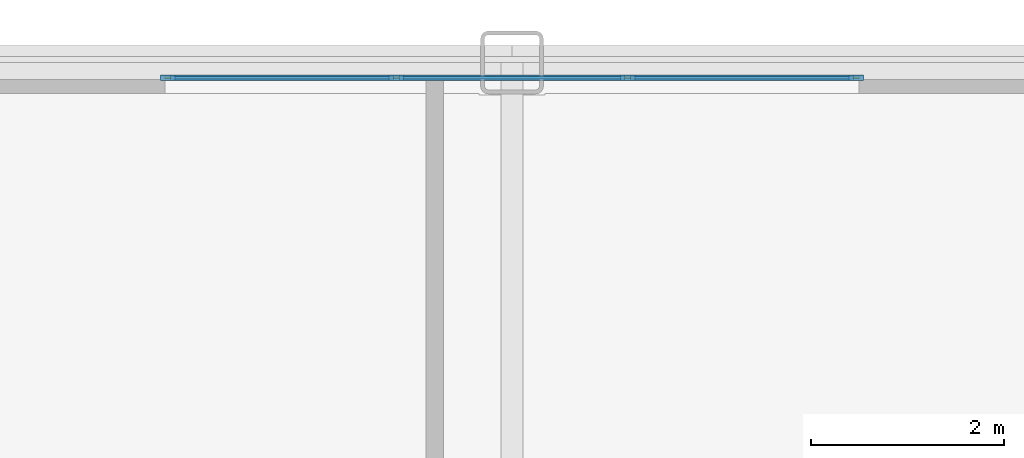
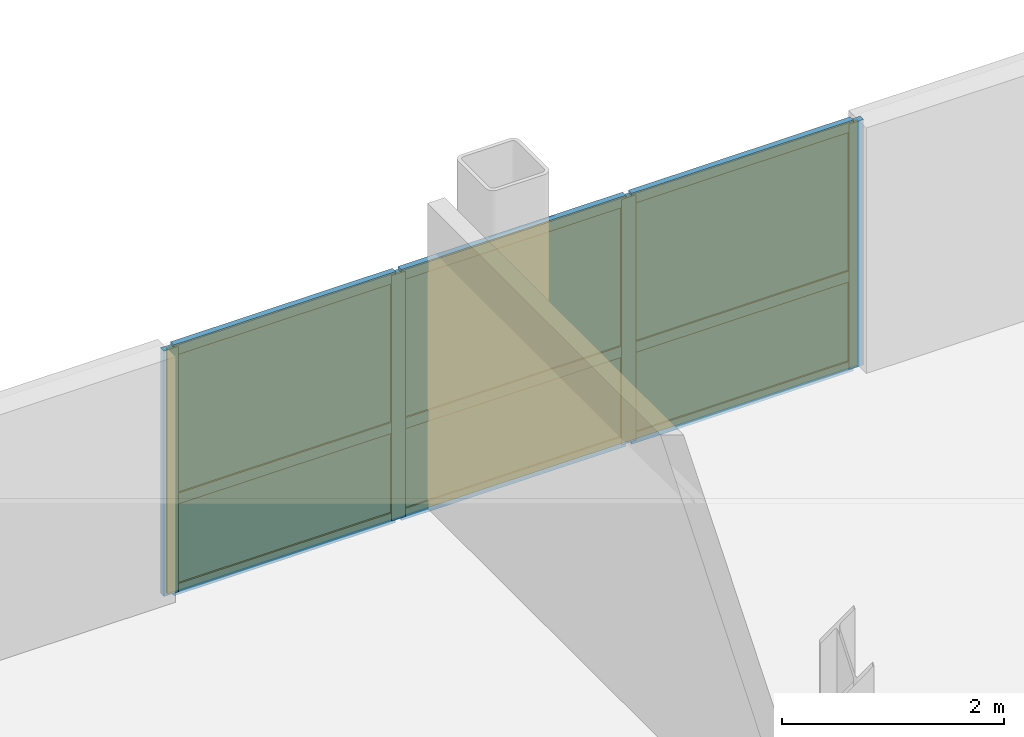
# One storey, part 12 of 17: 13 members, 6 plates, 1 curtain wall.
"""IFC4 building model written with IfcOpenShell, lengths in metres."""

from ifc_helpers import new_model, si_unit, direction, frame, frame_2d, origin, origin_2d, place, context, subcontext, project, spatial, rectangle, extrude, source, transform, mapped, material, layer, layer_set, material_profile, profile_set, type_object, type_shapes, element, aggregate, save


model = new_model("IFC4")

# Units and contexts
model_context = context("Model", 3, precision=1e-05, world=origin(), true_north=direction((0.0, 1.0)))
body_context = subcontext(model_context, "Body", "Model", "MODEL_VIEW")
ifc_project = project(units=[si_unit("LENGTHUNIT", "METRE"), si_unit("AREAUNIT", "SQUARE_METRE"), si_unit("VOLUMEUNIT", "CUBIC_METRE"), si_unit("PLANEANGLEUNIT", "RADIAN"), si_unit("MASSUNIT", "GRAM", prefix="KILO")], contexts=[model_context])

# Member
ifc_material_1 = material(Name="Anodised aluminium 6063-T6", Category="aluminium")
ifc_material_profile_1 = material_profile(ifc_material_1, rectangle(XDim=0.06005859375, YDim=0.14990234375, at=origin_2d()), Name="ALU-MULL-60x150")
ifc_profile_set_1 = profile_set([ifc_material_profile_1], Name="Anodised aluminium 6063-T6")
member_type_1 = type_object("IfcMemberType", Name="CWM-3", PredefinedType="MULLION", material=ifc_profile_set_1)
site_placement = place(None, origin())
building_placement = place(site_placement, origin())
storey_placement = place(building_placement, frame((0.0, 0.0, 120.199951171875)))
member_1_placement = place(storey_placement, frame((-3.570068359375, 23.0400390625, 0.0), z_axis=(0.0, 0.0, 1.0), x_axis=(0.0, 1.0, 0.0)))
member_1 = element("IfcMember", 1, at=member_1_placement, type_object=member_type_1, Name="CWS-3 mullion 1", PredefinedType="MULLION", context=body_context, shape_type="SweptSolid", body=[
    extrude(rectangle(XDim=0.06005859375, YDim=0.14990234375, at=origin_2d()), origin(), (0.0, 0.0, 1.0), 2.705078125),
])

member_2_placement = place(storey_placement, frame((-1.199951171875, 23.0400390625, 0.0), z_axis=(0.0, 0.0, 1.0), x_axis=(0.0, 1.0, 0.0)))
member_2 = element("IfcMember", 2, at=member_2_placement, type_object=member_type_1, Name="CWS-3 mullion 2", PredefinedType="MULLION", context=body_context, shape_type="SweptSolid", body=[
    extrude(rectangle(XDim=0.06005859375, YDim=0.14990234375, at=origin_2d()), origin(), (0.0, 0.0, 1.0), 2.705078125),
])

member_3_placement = place(storey_placement, frame((1.199951171875, 23.0400390625, 0.0), z_axis=(0.0, 0.0, 1.0), x_axis=(0.0, 1.0, 0.0)))
member_3 = element("IfcMember", 3, at=member_3_placement, type_object=member_type_1, Name="CWS-3 mullion 3", PredefinedType="MULLION", context=body_context, shape_type="SweptSolid", body=[
    extrude(rectangle(XDim=0.06005859375, YDim=0.14990234375, at=origin_2d()), origin(), (0.0, 0.0, 1.0), 2.705078125),
])

member_4_placement = place(storey_placement, frame((3.570068359375, 23.0400390625, 0.0), z_axis=(0.0, 0.0, 1.0), x_axis=(0.0, 1.0, 0.0)))
member_4 = element("IfcMember", 4, at=member_4_placement, type_object=member_type_1, Name="CWS-3 mullion 4", PredefinedType="MULLION", context=body_context, shape_type="SweptSolid", body=[
    extrude(rectangle(XDim=0.06005859375, YDim=0.14990234375, at=origin_2d()), origin(), (0.0, 0.0, 1.0), 2.705078125),
])

ifc_material_profile_2 = material_profile(ifc_material_1, rectangle(XDim=0.06005859375, YDim=0.1201171875, at=origin_2d()), Name="ALU-TRAN-60x120")
ifc_profile_set_2 = profile_set([ifc_material_profile_2], Name="Anodised aluminium 6063-T6")
member_type_2 = type_object("IfcMemberType", Name="CWT-3", PredefinedType="USERDEFINED", material=ifc_profile_set_2)
member_5_placement = place(storey_placement, frame((-3.5400390625, 23.0400390625, 0.030029296875), z_axis=(1.0, 0.0, 0.0), x_axis=(0.0, 1.0, 0.0)))
member_5 = element("IfcMember", 5, at=member_5_placement, type_object=member_type_2, Name="CWS-3 transom 1.1", ObjectType="TRANSOM", PredefinedType="USERDEFINED", context=body_context, shape_type="SweptSolid", body=[
    extrude(rectangle(XDim=0.06005859375, YDim=0.1201171875, at=origin_2d()), origin(), (0.0, 0.0, 1.0), 2.31005859375),
])

member_6_placement = place(storey_placement, frame((-3.5400390625, 23.0400390625, 1.02783203125), z_axis=(1.0, 0.0, 0.0), x_axis=(0.0, 1.0, 0.0)))
member_6 = element("IfcMember", 6, at=member_6_placement, type_object=member_type_2, Name="CWS-3 transom 1.2", ObjectType="TRANSOM", PredefinedType="USERDEFINED", context=body_context, shape_type="SweptSolid", body=[
    extrude(rectangle(XDim=0.06005859375, YDim=0.1201171875, at=origin_2d()), origin(), (0.0, 0.0, 1.0), 2.31005859375),
])

member_7_placement = place(storey_placement, frame((-3.5400390625, 23.0400390625, 2.675048828125), z_axis=(1.0, 0.0, 0.0), x_axis=(0.0, 1.0, 0.0)))
member_7 = element("IfcMember", 7, at=member_7_placement, type_object=member_type_2, Name="CWS-3 transom 1.3", ObjectType="TRANSOM", PredefinedType="USERDEFINED", context=body_context, shape_type="SweptSolid", body=[
    extrude(rectangle(XDim=0.06005859375, YDim=0.1201171875, at=origin_2d()), origin(), (0.0, 0.0, 1.0), 2.31005859375),
])

member_8_placement = place(storey_placement, frame((-1.169921875, 23.0400390625, 0.030029296875), z_axis=(1.0, 0.0, 0.0), x_axis=(0.0, 1.0, 0.0)))
member_8 = element("IfcMember", 8, at=member_8_placement, type_object=member_type_2, Name="CWS-3 transom 2.1", ObjectType="TRANSOM", PredefinedType="USERDEFINED", context=body_context, shape_type="SweptSolid", body=[
    extrude(rectangle(XDim=0.06005859375, YDim=0.1201171875, at=origin_2d()), origin(), (0.0, 0.0, 1.0), 2.33984375),
])

member_9_placement = place(storey_placement, frame((-1.169921875, 23.0400390625, 1.02783203125), z_axis=(1.0, 0.0, 0.0), x_axis=(0.0, 1.0, 0.0)))
member_9 = element("IfcMember", 9, at=member_9_placement, type_object=member_type_2, Name="CWS-3 transom 2.2", ObjectType="TRANSOM", PredefinedType="USERDEFINED", context=body_context, shape_type="SweptSolid", body=[
    extrude(rectangle(XDim=0.06005859375, YDim=0.1201171875, at=origin_2d()), origin(), (0.0, 0.0, 1.0), 2.33984375),
])

member_10_placement = place(storey_placement, frame((-1.169921875, 23.0400390625, 2.675048828125), z_axis=(1.0, 0.0, 0.0), x_axis=(0.0, 1.0, 0.0)))
member_10 = element("IfcMember", 10, at=member_10_placement, type_object=member_type_2, Name="CWS-3 transom 2.3", ObjectType="TRANSOM", PredefinedType="USERDEFINED", context=body_context, shape_type="SweptSolid", body=[
    extrude(rectangle(XDim=0.06005859375, YDim=0.1201171875, at=origin_2d()), origin(), (0.0, 0.0, 1.0), 2.33984375),
])

member_11_placement = place(storey_placement, frame((1.22998046875, 23.0400390625, 0.030029296875), z_axis=(1.0, 0.0, 0.0), x_axis=(0.0, 1.0, 0.0)))
member_11 = element("IfcMember", 11, at=member_11_placement, type_object=member_type_2, Name="CWS-3 transom 3.1", ObjectType="TRANSOM", PredefinedType="USERDEFINED", context=body_context, shape_type="SweptSolid", body=[
    extrude(rectangle(XDim=0.06005859375, YDim=0.1201171875, at=origin_2d()), origin(), (0.0, 0.0, 1.0), 2.31005859375),
])

member_12_placement = place(storey_placement, frame((1.22998046875, 23.0400390625, 1.02783203125), z_axis=(1.0, 0.0, 0.0), x_axis=(0.0, 1.0, 0.0)))
member_12 = element("IfcMember", 12, at=member_12_placement, type_object=member_type_2, Name="CWS-3 transom 3.2", ObjectType="TRANSOM", PredefinedType="USERDEFINED", context=body_context, shape_type="SweptSolid", body=[
    extrude(rectangle(XDim=0.06005859375, YDim=0.1201171875, at=origin_2d()), origin(), (0.0, 0.0, 1.0), 2.31005859375),
])

member_13_placement = place(storey_placement, frame((1.22998046875, 23.0400390625, 2.675048828125), z_axis=(1.0, 0.0, 0.0), x_axis=(0.0, 1.0, 0.0)))
member_13 = element("IfcMember", 13, at=member_13_placement, type_object=member_type_2, Name="CWS-3 transom 3.3", ObjectType="TRANSOM", PredefinedType="USERDEFINED", context=body_context, shape_type="SweptSolid", body=[
    extrude(rectangle(XDim=0.06005859375, YDim=0.1201171875, at=origin_2d()), origin(), (0.0, 0.0, 1.0), 2.31005859375),
])

# Plate
ifc_material_2 = material(Name="Insulated solar-control glass", Category="glass")
ifc_layer_1 = layer(ifc_material_2, 0.028076171875, Name="CWP-3")
ifc_layer_set_1 = layer_set([ifc_layer_1], Name="Insulated solar-control glass")
plate_type = type_object("IfcPlateType", Name="CWP-3", PredefinedType="CURTAIN_PANEL", material=ifc_layer_set_1)
shared_shape_1 = source(origin(), body_context, "Body", "SweptSolid", [
    extrude(rectangle(XDim=2.31005859375, YDim=0.028076171875, at=origin_2d()), origin(), (0.0, 0.0, 1.0), 0.93798828125),
])
plate_1_placement = place(storey_placement, frame((-2.385009765625, 23.0400390625, 0.06005859375), z_axis=(0.0, 0.0, 1.0), x_axis=(1.0, 0.0, 0.0)))
plate_1 = element("IfcPlate", 14, at=plate_1_placement, type_object=plate_type, Name="CWS-3 panel 1.1", PredefinedType="CURTAIN_PANEL", context=body_context, shape_type="MappedRepresentation", body=[
    mapped(shared_shape_1, transform((0.0, 0.0, 0.0), scale=1.0)),
])

plate_2_placement = place(storey_placement, frame((2.385009765625, 23.0400390625, 0.06005859375), z_axis=(0.0, 0.0, 1.0), x_axis=(1.0, 0.0, 0.0)))
plate_2 = element("IfcPlate", 15, at=plate_2_placement, type_object=plate_type, Name="CWS-3 panel 3.1", PredefinedType="CURTAIN_PANEL", context=body_context, shape_type="MappedRepresentation", body=[
    mapped(shared_shape_1, transform((0.0, 0.0, 0.0), scale=1.0)),
])

shared_shape_2 = source(origin(), body_context, "Body", "SweptSolid", [
    extrude(rectangle(XDim=2.31005859375, YDim=0.028076171875, at=origin_2d()), origin(), (0.0, 0.0, 1.0), 1.587158203125),
])
plate_3_placement = place(storey_placement, frame((-2.385009765625, 23.0400390625, 1.05810546875), z_axis=(0.0, 0.0, 1.0), x_axis=(1.0, 0.0, 0.0)))
plate_3 = element("IfcPlate", 16, at=plate_3_placement, type_object=plate_type, Name="CWS-3 panel 1.2", PredefinedType="CURTAIN_PANEL", context=body_context, shape_type="MappedRepresentation", body=[
    mapped(shared_shape_2, transform((0.0, 0.0, 0.0), scale=1.0)),
])

plate_4_placement = place(storey_placement, frame((2.385009765625, 23.0400390625, 1.05810546875), z_axis=(0.0, 0.0, 1.0), x_axis=(1.0, 0.0, 0.0)))
plate_4 = element("IfcPlate", 17, at=plate_4_placement, type_object=plate_type, Name="CWS-3 panel 3.2", PredefinedType="CURTAIN_PANEL", context=body_context, shape_type="MappedRepresentation", body=[
    mapped(shared_shape_2, transform((0.0, 0.0, 0.0), scale=1.0)),
])

shared_shape_3 = source(origin(), body_context, "Body", "SweptSolid", [
    extrude(rectangle(XDim=2.340087890625, YDim=0.028076171875, at=origin_2d()), origin(), (0.0, 0.0, 1.0), 0.93798828125),
])
plate_5_placement = place(storey_placement, frame((0.0, 23.0400390625, 0.06005859375), z_axis=(0.0, 0.0, 1.0), x_axis=(1.0, 0.0, 0.0)))
plate_5 = element("IfcPlate", 18, at=plate_5_placement, type_object=plate_type, Name="CWS-3 panel 2.1", PredefinedType="CURTAIN_PANEL", context=body_context, shape_type="MappedRepresentation", body=[
    mapped(shared_shape_3, transform((0.0, 0.0, 0.0), scale=1.0)),
])

shared_shape_4 = source(origin(), body_context, "Body", "SweptSolid", [
    extrude(rectangle(XDim=2.340087890625, YDim=0.028076171875, at=origin_2d()), origin(), (0.0, 0.0, 1.0), 1.587158203125),
])
type_shapes(plate_type, [shared_shape_1, shared_shape_2, shared_shape_3, shared_shape_4])
plate_6_placement = place(storey_placement, frame((0.0, 23.0400390625, 1.05810546875), z_axis=(0.0, 0.0, 1.0), x_axis=(1.0, 0.0, 0.0)))
plate_6 = element("IfcPlate", 19, at=plate_6_placement, type_object=plate_type, Name="CWS-3 panel 2.2", PredefinedType="CURTAIN_PANEL", context=body_context, shape_type="MappedRepresentation", body=[
    mapped(shared_shape_4, transform((0.0, 0.0, 0.0), scale=1.0)),
])

# Site, building, storey
site = spatial("IfcSite", under=ifc_project, at=site_placement, CompositionType="ELEMENT")
building = spatial("IfcBuilding", under=site, at=building_placement, Name="Nuvemarco Arch Tower", CompositionType="ELEMENT")
storey = spatial("IfcBuildingStorey", under=building, at=storey_placement, Name="L31", CompositionType="ELEMENT", Elevation=120.199951171875)

# Curtain wall
ifc_layer_2 = layer(ifc_material_2, 0.14990234375, Name="CW-SYS-3")
ifc_layer_set_2 = layer_set([ifc_layer_2], Name="Insulated solar-control glass")
curtain_wall_type = type_object("IfcCurtainWallType", Name="CW-SYS-3", PredefinedType="NOTDEFINED", material=ifc_layer_set_2)
curtain_wall_placement = place(storey_placement, frame((-3.60009765625, 23.0400390625, 0.0), z_axis=(0.0, 0.0, 1.0), x_axis=(1.0, 0.0, 0.0)))
curtain_wall = element("IfcCurtainWall", 20, at=curtain_wall_placement, inside=storey, type_object=curtain_wall_type, Name="L31 curtain wall CWS-3", PredefinedType="NOTDEFINED", context=body_context, shape_type="SweptSolid", body=[
    extrude(rectangle(XDim=7.2001953125, YDim=0.02001953125, at=frame_2d((3.60009765625, 0.0))), origin(), (0.0, 0.0, 1.0), 2.705078125),
])

aggregate(curtain_wall, [member_1, member_2, member_3, member_4, member_5, member_6, member_7, plate_1, plate_3, member_8, member_9, member_10, plate_5, plate_6, member_11, member_12, member_13, plate_2, plate_4])

save(model, "model.ifc")
